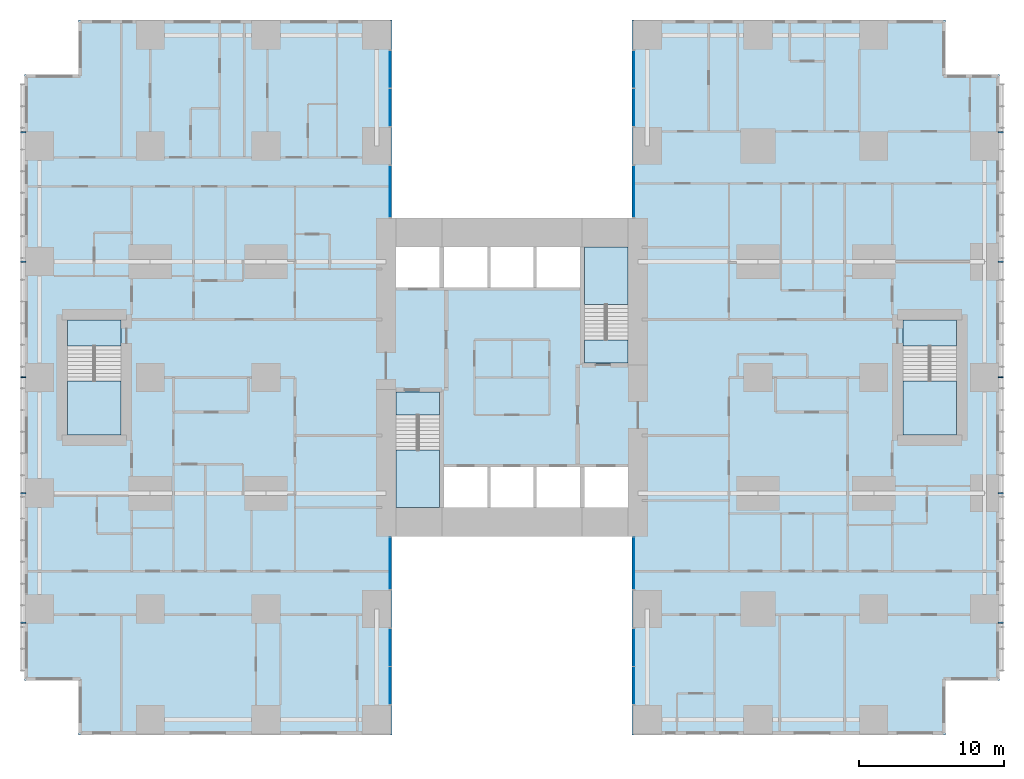
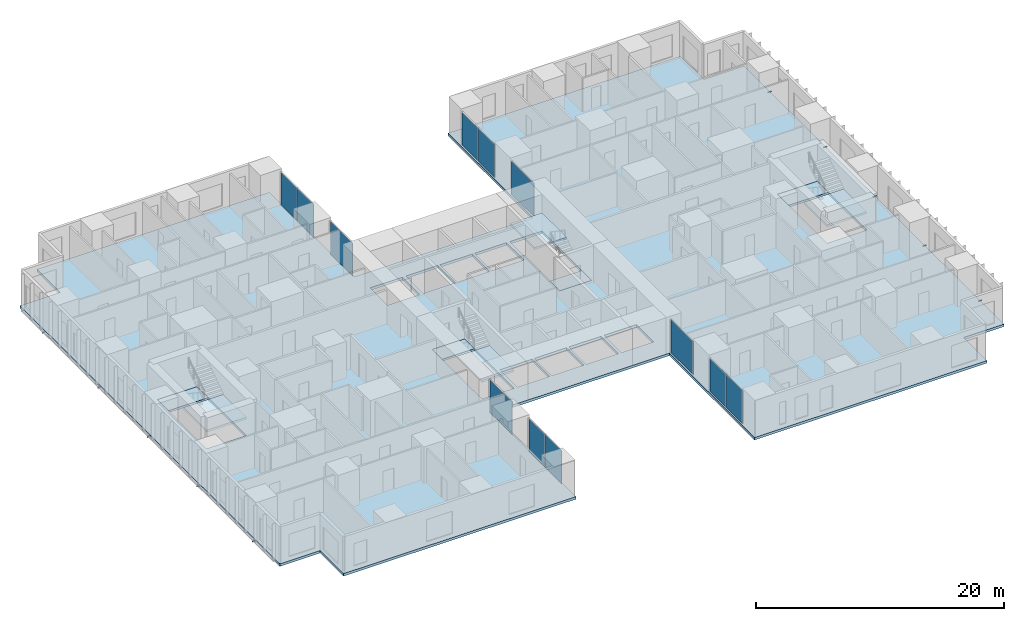
# One storey, part 7 of 20: 12 plates, 10 members, 9 slabs, 12 elements without a shape of their own.
"""IFC4 building model written with IfcOpenShell, lengths in metres."""

from ifc_helpers import new_model, si_unit, direction, frame, origin, origin_2d, place, context, subcontext, project, spatial, polyline, rectangle, hollow_rectangle, outline, extrude, material, layer, layer_set, material_profile, profile_set, type_object, element, aggregate, save


model = new_model("IFC4")

# Units and contexts
model_context = context("Model", 3, precision=1e-05, world=origin(), true_north=direction((0.0, 1.0)))
body_context = subcontext(model_context, "Body", "Model", "MODEL_VIEW")
ifc_project = project(units=[si_unit("LENGTHUNIT", "METRE"), si_unit("AREAUNIT", "SQUARE_METRE"), si_unit("VOLUMEUNIT", "CUBIC_METRE"), si_unit("PLANEANGLEUNIT", "RADIAN"), si_unit("MASSUNIT", "GRAM", prefix="KILO")], contexts=[model_context])

# Site, building, storey
site_placement = place(None, origin())
site = spatial("IfcSite", under=ifc_project, at=site_placement, CompositionType="ELEMENT")
building_placement = place(site_placement, origin())
building = spatial("IfcBuilding", under=site, at=building_placement, Name="Cleftline Residences", CompositionType="ELEMENT")
storey_placement = place(building_placement, frame((0.0, 0.0, 107.0)))
storey = spatial("IfcBuildingStorey", under=building, at=storey_placement, Name="L27", CompositionType="ELEMENT", Elevation=107.0)

# Members
ifc_material_1 = material(Name="Steel S355, hot-dip galvanised", Category="steel")
ifc_material_profile = material_profile(ifc_material_1, hollow_rectangle(XDim=0.10009765625, YDim=0.10009765625, WallThickness=0.008056640625, InnerFilletRadius=0.008056640625, OuterFilletRadius=0.011962890625, at=origin_2d()))
ifc_profile_set = profile_set([ifc_material_profile], Name="Steel S355, hot-dip galvanised")
member_type = type_object("IfcMemberType", Name="BAGUETTE BRACKET SHS 100X100X8", PredefinedType="USERDEFINED", material=ifc_profile_set)
for number, where, z_axis, x_axis, name in (
    (1, (66.60009765625, 7.050048828125, -0.14990234375), (1.0, 0.0, 0.0), (0.0, 1.0, 0.0), "Baguette bracket"),
    (2, (66.60009765625, 16.0, -0.14990234375), (1.0, 0.0, 0.0), (0.0, 1.0, 0.0), "Baguette bracket"),
    (3, (66.60009765625, 24.0, -0.14990234375), (1.0, 0.0, 0.0), (0.0, 1.0, 0.0), "Baguette bracket"),
    (4, (66.60009765625, 32.0, -0.14990234375), (1.0, 0.0, 0.0), (0.0, 1.0, 0.0), "Baguette bracket"),
    (5, (66.60009765625, 40.949951171875, -0.14990234375), (1.0, 0.0, 0.0), (0.0, 1.0, 0.0), "Baguette bracket"),
    (6, (-0.60009765625, 40.949951171875, -0.14990234375), (-1.0, 0.0, 0.0), (0.0, -1.0, 0.0), "Baguette bracket"),
    (7, (-0.60009765625, 32.0, -0.14990234375), (-1.0, 0.0, 0.0), (0.0, -1.0, 0.0), "Baguette bracket"),
    (8, (-0.60009765625, 24.0, -0.14990234375), (-1.0, 0.0, 0.0), (0.0, -1.0, 0.0), "Baguette bracket"),
    (9, (-0.60009765625, 16.0, -0.14990234375), (-1.0, 0.0, 0.0), (0.0, -1.0, 0.0), "Baguette bracket"),
    (10, (-0.60009765625, 7.050048828125, -0.14990234375), (-1.0, 0.0, 0.0), (0.0, -1.0, 0.0), "Baguette bracket"),
):
    element("IfcMember", number, at=place(storey_placement, frame(where, z_axis=z_axis, x_axis=x_axis)), inside=storey, type_object=member_type, Name=name, ObjectType="BAGUETTE BRACKET", PredefinedType="USERDEFINED", context=body_context, shape_type="SweptSolid", body=[
        extrude(hollow_rectangle(XDim=0.10009765625, YDim=0.10009765625, WallThickness=0.008056640625, InnerFilletRadius=0.008056640625, OuterFilletRadius=0.011962890625, at=origin_2d()), origin(), (0.0, 0.0, 1.0), 0.349853515625),
    ])

# Curtain wall, plates
ifc_material_2 = material(Name="Aluminium framed curtain wall", Category="aluminium")
ifc_layer_1 = layer(ifc_material_2, 0.199951171875)
ifc_layer_set_1 = layer_set([ifc_layer_1], Name="CW1 CLEFT GLAZING")
curtain_wall_type = type_object("IfcCurtainWallType", Name="CW1 CLEFT GLAZING", PredefinedType="NOTDEFINED", material=ifc_layer_set_1)
curtain_wall_1_placement = place(storey_placement, origin())
curtain_wall_1 = element("IfcCurtainWall", 11, at=curtain_wall_1_placement, inside=storey, type_object=curtain_wall_type, Name="Curtain wall CW1", PredefinedType="NOTDEFINED")
ifc_material_3 = material(Name="Laminated clear glass", Category="glass")
ifc_layer_2 = layer(ifc_material_3, 0.028076171875)
ifc_layer_set_2 = layer_set([ifc_layer_2], Name="CW1 GLASS PANEL")
plate_type = type_object("IfcPlateType", Name="CW1 GLASS PANEL", PredefinedType="CURTAIN_PANEL", material=ifc_layer_set_2)
plate_1_placement = place(storey_placement, frame((24.574951171875, 2.702392578125, 0.06005859375), z_axis=(0.0, 0.0, 1.0), x_axis=(0.0, 1.0, 0.0)))
plate_1 = element("IfcPlate", 12, at=plate_1_placement, type_object=plate_type, Name="CW1 panel 1.1", PredefinedType="CURTAIN_PANEL", context=body_context, shape_type="SweptSolid", body=[
    extrude(rectangle(XDim=2.5849609375, YDim=0.028076171875, at=origin_2d()), origin(), (0.0, 0.0, 1.0), 3.22998046875),
])
plate_2_placement = place(storey_placement, frame((24.574951171875, 5.347412109375, 0.06005859375), z_axis=(0.0, 0.0, 1.0), x_axis=(0.0, 1.0, 0.0)))
plate_2 = element("IfcPlate", 13, at=plate_2_placement, type_object=plate_type, Name="CW1 panel 2.1", PredefinedType="CURTAIN_PANEL", context=body_context, shape_type="SweptSolid", body=[
    extrude(rectangle(XDim=2.5849609375, YDim=0.028076171875, at=origin_2d()), origin(), (0.0, 0.0, 1.0), 3.22998046875),
])
aggregate(curtain_wall_1, [plate_1, plate_2])

# Curtain wall, plate
curtain_wall_2_placement = place(storey_placement, origin())
curtain_wall_2 = element("IfcCurtainWall", 14, at=curtain_wall_2_placement, inside=storey, type_object=curtain_wall_type, Name="Curtain wall CW1", PredefinedType="NOTDEFINED")
plate_3_placement = place(storey_placement, frame((24.574951171875, 11.14990234375, 0.06005859375), z_axis=(0.0, 0.0, 1.0), x_axis=(0.0, 1.0, 0.0)))
plate_3 = element("IfcPlate", 15, at=plate_3_placement, type_object=plate_type, Name="CW1 panel 1.1", PredefinedType="CURTAIN_PANEL", context=body_context, shape_type="SweptSolid", body=[
    extrude(rectangle(XDim=3.580078125, YDim=0.028076171875, at=origin_2d()), origin(), (0.0, 0.0, 1.0), 3.22998046875),
])
aggregate(curtain_wall_2, [plate_3])

curtain_wall_3_placement = place(storey_placement, origin())
curtain_wall_3 = element("IfcCurtainWall", 16, at=curtain_wall_3_placement, inside=storey, type_object=curtain_wall_type, Name="Curtain wall CW1", PredefinedType="NOTDEFINED")
plate_4_placement = place(storey_placement, frame((41.425048828125, 11.14990234375, 0.06005859375), z_axis=(0.0, 0.0, 1.0), x_axis=(0.0, -1.0, 0.0)))
plate_4 = element("IfcPlate", 17, at=plate_4_placement, type_object=plate_type, Name="CW1 panel 1.1", PredefinedType="CURTAIN_PANEL", context=body_context, shape_type="SweptSolid", body=[
    extrude(rectangle(XDim=3.580078125, YDim=0.028076171875, at=origin_2d()), origin(), (0.0, 0.0, 1.0), 3.22998046875),
])
aggregate(curtain_wall_3, [plate_4])

# Curtain wall, plates
curtain_wall_4_placement = place(storey_placement, origin())
curtain_wall_4 = element("IfcCurtainWall", 18, at=curtain_wall_4_placement, inside=storey, type_object=curtain_wall_type, Name="Curtain wall CW1", PredefinedType="NOTDEFINED")
plate_5_placement = place(storey_placement, frame((41.425048828125, 5.347412109375, 0.06005859375), z_axis=(0.0, 0.0, 1.0), x_axis=(0.0, -1.0, 0.0)))
plate_5 = element("IfcPlate", 19, at=plate_5_placement, type_object=plate_type, Name="CW1 panel 1.1", PredefinedType="CURTAIN_PANEL", context=body_context, shape_type="SweptSolid", body=[
    extrude(rectangle(XDim=2.5849609375, YDim=0.028076171875, at=origin_2d()), origin(), (0.0, 0.0, 1.0), 3.22998046875),
])
plate_6_placement = place(storey_placement, frame((41.425048828125, 2.702392578125, 0.06005859375), z_axis=(0.0, 0.0, 1.0), x_axis=(0.0, -1.0, 0.0)))
plate_6 = element("IfcPlate", 20, at=plate_6_placement, type_object=plate_type, Name="CW1 panel 2.1", PredefinedType="CURTAIN_PANEL", context=body_context, shape_type="SweptSolid", body=[
    extrude(rectangle(XDim=2.5849609375, YDim=0.028076171875, at=origin_2d()), origin(), (0.0, 0.0, 1.0), 3.22998046875),
])
aggregate(curtain_wall_4, [plate_5, plate_6])

curtain_wall_5_placement = place(storey_placement, origin())
curtain_wall_5 = element("IfcCurtainWall", 21, at=curtain_wall_5_placement, inside=storey, type_object=curtain_wall_type, Name="Curtain wall CW1", PredefinedType="NOTDEFINED")
plate_7_placement = place(storey_placement, frame((41.425048828125, 45.297607421875, 0.06005859375), z_axis=(0.0, 0.0, 1.0), x_axis=(0.0, -1.0, 0.0)))
plate_7 = element("IfcPlate", 22, at=plate_7_placement, type_object=plate_type, Name="CW1 panel 1.1", PredefinedType="CURTAIN_PANEL", context=body_context, shape_type="SweptSolid", body=[
    extrude(rectangle(XDim=2.5849609375, YDim=0.028076171875, at=origin_2d()), origin(), (0.0, 0.0, 1.0), 3.22998046875),
])
plate_8_placement = place(storey_placement, frame((41.425048828125, 42.652587890625, 0.06005859375), z_axis=(0.0, 0.0, 1.0), x_axis=(0.0, -1.0, 0.0)))
plate_8 = element("IfcPlate", 23, at=plate_8_placement, type_object=plate_type, Name="CW1 panel 2.1", PredefinedType="CURTAIN_PANEL", context=body_context, shape_type="SweptSolid", body=[
    extrude(rectangle(XDim=2.5849609375, YDim=0.028076171875, at=origin_2d()), origin(), (0.0, 0.0, 1.0), 3.22998046875),
])
aggregate(curtain_wall_5, [plate_7, plate_8])

# Curtain wall, plate
curtain_wall_6_placement = place(storey_placement, origin())
curtain_wall_6 = element("IfcCurtainWall", 24, at=curtain_wall_6_placement, inside=storey, type_object=curtain_wall_type, Name="Curtain wall CW1", PredefinedType="NOTDEFINED")
plate_9_placement = place(storey_placement, frame((41.425048828125, 36.85009765625, 0.06005859375), z_axis=(0.0, 0.0, 1.0), x_axis=(0.0, -1.0, 0.0)))
plate_9 = element("IfcPlate", 25, at=plate_9_placement, type_object=plate_type, Name="CW1 panel 1.1", PredefinedType="CURTAIN_PANEL", context=body_context, shape_type="SweptSolid", body=[
    extrude(rectangle(XDim=3.580078125, YDim=0.028076171875, at=origin_2d()), origin(), (0.0, 0.0, 1.0), 3.22998046875),
])
aggregate(curtain_wall_6, [plate_9])

curtain_wall_7_placement = place(storey_placement, origin())
curtain_wall_7 = element("IfcCurtainWall", 26, at=curtain_wall_7_placement, inside=storey, type_object=curtain_wall_type, Name="Curtain wall CW1", PredefinedType="NOTDEFINED")
plate_10_placement = place(storey_placement, frame((24.574951171875, 36.85009765625, 0.06005859375), z_axis=(0.0, 0.0, 1.0), x_axis=(0.0, 1.0, 0.0)))
plate_10 = element("IfcPlate", 27, at=plate_10_placement, type_object=plate_type, Name="CW1 panel 1.1", PredefinedType="CURTAIN_PANEL", context=body_context, shape_type="SweptSolid", body=[
    extrude(rectangle(XDim=3.580078125, YDim=0.028076171875, at=origin_2d()), origin(), (0.0, 0.0, 1.0), 3.22998046875),
])
aggregate(curtain_wall_7, [plate_10])

# Curtain wall, plates
curtain_wall_8_placement = place(storey_placement, origin())
curtain_wall_8 = element("IfcCurtainWall", 28, at=curtain_wall_8_placement, inside=storey, type_object=curtain_wall_type, Name="Curtain wall CW1", PredefinedType="NOTDEFINED")
plate_11_placement = place(storey_placement, frame((24.574951171875, 42.652587890625, 0.06005859375), z_axis=(0.0, 0.0, 1.0), x_axis=(0.0, 1.0, 0.0)))
plate_11 = element("IfcPlate", 29, at=plate_11_placement, type_object=plate_type, Name="CW1 panel 1.1", PredefinedType="CURTAIN_PANEL", context=body_context, shape_type="SweptSolid", body=[
    extrude(rectangle(XDim=2.5849609375, YDim=0.028076171875, at=origin_2d()), origin(), (0.0, 0.0, 1.0), 3.22998046875),
])
plate_12_placement = place(storey_placement, frame((24.574951171875, 45.297607421875, 0.06005859375), z_axis=(0.0, 0.0, 1.0), x_axis=(0.0, 1.0, 0.0)))
plate_12 = element("IfcPlate", 30, at=plate_12_placement, type_object=plate_type, Name="CW1 panel 2.1", PredefinedType="CURTAIN_PANEL", context=body_context, shape_type="SweptSolid", body=[
    extrude(rectangle(XDim=2.5849609375, YDim=0.028076171875, at=origin_2d()), origin(), (0.0, 0.0, 1.0), 3.22998046875),
])
aggregate(curtain_wall_8, [plate_11, plate_12])

# Slab
ifc_material_4 = material(Name="Concrete B45", Category="concrete")
ifc_layer_3 = layer(ifc_material_4, 0.25)
ifc_layer_set_3 = layer_set([ifc_layer_3], Name="FLOOR SLAB 250")
slab_type_1 = type_object("IfcSlabType", Name="FLOOR SLAB 250", PredefinedType="FLOOR", material=ifc_layer_set_3)
slab_1_placement = place(storey_placement, frame((0.0, 0.0, -0.25)))
element("IfcSlab", 31, at=slab_1_placement, inside=storey, type_object=slab_type_1, Name="Floor slab L27", PredefinedType="FLOOR", context=body_context, shape_type="SweptSolid", body=[
    extrude(outline(polyline([(24.699951171875, 13.0), (41.300048828125, 13.0), (41.300048828125, -0.699951171875), (62.949951171875, -0.699951171875), (62.949951171875, 3.050048828125), (66.699951171875, 3.050048828125), (66.699951171875, 44.949951171875), (62.949951171875, 44.949951171875), (62.949951171875, 48.699951171875), (41.300048828125, 48.699951171875), (41.300048828125, 35.0), (24.699951171875, 35.0), (24.699951171875, 48.699951171875), (3.050048828125, 48.699951171875), (3.050048828125, 44.949951171875), (-0.699951171875, 44.949951171875), (-0.699951171875, 3.050048828125), (3.050048828125, 3.050048828125), (3.050048828125, -0.699951171875), (24.699951171875, -0.699951171875), (24.699951171875, 13.0)]), holes=[polyline([(28.0, 15.0), (28.0, 23.0), (25.0, 23.0), (25.0, 15.0), (28.0, 15.0)]), polyline([(41.0, 25.0), (41.0, 33.0), (38.0, 33.0), (38.0, 25.0), (41.0, 25.0)]), polyline([(28.0, 30.199951171875), (28.0, 33.0), (25.0, 33.0), (25.0, 30.199951171875), (28.0, 30.199951171875)]), polyline([(41.0, 15.0), (41.0, 17.800048828125), (38.0, 17.800048828125), (38.0, 15.0), (41.0, 15.0)]), polyline([(31.300048828125, 15.0), (31.300048828125, 17.800048828125), (28.300048828125, 17.800048828125), (28.300048828125, 15.0), (31.300048828125, 15.0)]), polyline([(34.5, 15.0), (34.5, 17.800048828125), (31.5, 17.800048828125), (31.5, 15.0), (34.5, 15.0)]), polyline([(37.699951171875, 15.0), (37.699951171875, 17.800048828125), (34.699951171875, 17.800048828125), (34.699951171875, 15.0), (37.699951171875, 15.0)]), polyline([(31.300048828125, 30.199951171875), (31.300048828125, 33.0), (28.300048828125, 33.0), (28.300048828125, 30.199951171875), (31.300048828125, 30.199951171875)]), polyline([(34.5, 30.199951171875), (34.5, 33.0), (31.5, 33.0), (31.5, 30.199951171875), (34.5, 30.199951171875)]), polyline([(37.699951171875, 30.199951171875), (37.699951171875, 33.0), (34.699951171875, 33.0), (34.699951171875, 30.199951171875), (37.699951171875, 30.199951171875)]), polyline([(63.72509765625, 20.02490234375), (63.72509765625, 27.97509765625), (60.02490234375, 27.97509765625), (60.02490234375, 20.02490234375), (63.72509765625, 20.02490234375)]), polyline([(5.97509765625, 20.02490234375), (5.97509765625, 27.97509765625), (2.27490234375, 27.97509765625), (2.27490234375, 20.02490234375), (5.97509765625, 20.02490234375)])]), origin(), (0.0, 0.0, 1.0), 0.25),
])

# Stair, slabs
ifc_material_5 = material(Name="Concrete B45, stone treads", Category="masonry")
stair_type_1 = type_object("IfcStairType", Name="STAIR A 1450 WIDE 180 RISER", PredefinedType="HALF_TURN_STAIR", material=ifc_material_5)
stair_1_placement = place(storey_placement, origin())
stair_1 = element("IfcStair", 32, at=stair_1_placement, inside=storey, type_object=stair_type_1, Name="Stair A L27", PredefinedType="HALF_TURN_STAIR")
ifc_material_6 = material(Name="Concrete B45", Category="concrete")
ifc_layer_4 = layer(ifc_material_6, 0.199951171875)
ifc_layer_set_4 = layer_set([ifc_layer_4], Name="STAIR LANDING 200")
slab_type_2 = type_object("IfcSlabType", Name="STAIR LANDING 200", PredefinedType="LANDING", material=ifc_layer_set_4)
slab_2_placement = place(storey_placement, frame((0.0, 0.0, -0.199951171875)))
slab_2 = element("IfcSlab", 33, at=slab_2_placement, type_object=slab_type_2, Name="ST-A landing 1", PredefinedType="LANDING", context=body_context, shape_type="SweptSolid", body=[
    extrude(outline(polyline([(25.0, 21.39990234375), (28.0, 21.39990234375), (28.0, 23.0), (25.0, 23.0), (25.0, 21.39990234375)])), origin(), (0.0, 0.0, 1.0), 0.199951171875),
])
slab_3_placement = place(storey_placement, frame((0.0, 0.0, 1.60009765625)))
slab_3 = element("IfcSlab", 34, at=slab_3_placement, type_object=slab_type_2, Name="ST-A landing 2", PredefinedType="LANDING", context=body_context, shape_type="SweptSolid", body=[
    extrude(outline(polyline([(25.0, 15.0), (28.0, 15.0), (28.0, 18.969970703125), (25.0, 18.969970703125), (25.0, 15.0)])), origin(), (0.0, 0.0, 1.0), 0.199951171875),
])
aggregate(stair_1, [slab_2, slab_3])

ifc_material_7 = material(Name="Concrete B45, stone treads", Category="masonry")
stair_type_2 = type_object("IfcStairType", Name="STAIR B 1450 WIDE 180 RISER", PredefinedType="HALF_TURN_STAIR", material=ifc_material_7)
stair_2_placement = place(storey_placement, origin())
stair_2 = element("IfcStair", 35, at=stair_2_placement, inside=storey, type_object=stair_type_2, Name="Stair B L27", PredefinedType="HALF_TURN_STAIR")
slab_4_placement = place(storey_placement, frame((0.0, 0.0, -0.199951171875)))
slab_4 = element("IfcSlab", 36, at=slab_4_placement, type_object=slab_type_2, Name="ST-B landing 1", PredefinedType="LANDING", context=body_context, shape_type="SweptSolid", body=[
    extrude(outline(polyline([(38.0, 25.0), (41.0, 25.0), (41.0, 26.60009765625), (38.0, 26.60009765625), (38.0, 25.0)])), origin(), (0.0, 0.0, 1.0), 0.199951171875),
])
slab_5_placement = place(storey_placement, frame((0.0, 0.0, 1.60009765625)))
slab_5 = element("IfcSlab", 37, at=slab_5_placement, type_object=slab_type_2, Name="ST-B landing 2", PredefinedType="LANDING", context=body_context, shape_type="SweptSolid", body=[
    extrude(outline(polyline([(38.0, 29.030029296875), (41.0, 29.030029296875), (41.0, 33.0), (38.0, 33.0), (38.0, 29.030029296875)])), origin(), (0.0, 0.0, 1.0), 0.199951171875),
])
aggregate(stair_2, [slab_4, slab_5])

ifc_material_8 = material(Name="Concrete B45, stone treads", Category="masonry")
stair_type_3 = type_object("IfcStairType", Name="STAIR E 1800 WIDE 180 RISER", PredefinedType="HALF_TURN_STAIR", material=ifc_material_8)
stair_3_placement = place(storey_placement, origin())
stair_3 = element("IfcStair", 38, at=stair_3_placement, inside=storey, type_object=stair_type_3, Name="Stair E L27", PredefinedType="HALF_TURN_STAIR")
slab_6_placement = place(storey_placement, frame((0.0, 0.0, -0.199951171875)))
slab_6 = element("IfcSlab", 39, at=slab_6_placement, type_object=slab_type_2, Name="ST-E landing 1", PredefinedType="LANDING", context=body_context, shape_type="SweptSolid", body=[
    extrude(outline(polyline([(60.02490234375, 26.175048828125), (63.72509765625, 26.175048828125), (63.72509765625, 27.97509765625), (60.02490234375, 27.97509765625), (60.02490234375, 26.175048828125)])), origin(), (0.0, 0.0, 1.0), 0.199951171875),
])
slab_7_placement = place(storey_placement, frame((0.0, 0.0, 1.60009765625)))
slab_7 = element("IfcSlab", 40, at=slab_7_placement, type_object=slab_type_2, Name="ST-E landing 2", PredefinedType="LANDING", context=body_context, shape_type="SweptSolid", body=[
    extrude(outline(polyline([(60.02490234375, 20.02490234375), (63.72509765625, 20.02490234375), (63.72509765625, 23.7451171875), (60.02490234375, 23.7451171875), (60.02490234375, 20.02490234375)])), origin(), (0.0, 0.0, 1.0), 0.199951171875),
])
aggregate(stair_3, [slab_6, slab_7])

ifc_material_9 = material(Name="Concrete B45, stone treads", Category="masonry")
stair_type_4 = type_object("IfcStairType", Name="STAIR W 1800 WIDE 180 RISER", PredefinedType="HALF_TURN_STAIR", material=ifc_material_9)
stair_4_placement = place(storey_placement, origin())
stair_4 = element("IfcStair", 41, at=stair_4_placement, inside=storey, type_object=stair_type_4, Name="Stair W L27", PredefinedType="HALF_TURN_STAIR")
slab_8_placement = place(storey_placement, frame((0.0, 0.0, -0.199951171875)))
slab_8 = element("IfcSlab", 42, at=slab_8_placement, type_object=slab_type_2, Name="ST-W landing 1", PredefinedType="LANDING", context=body_context, shape_type="SweptSolid", body=[
    extrude(outline(polyline([(2.27490234375, 26.175048828125), (5.97509765625, 26.175048828125), (5.97509765625, 27.97509765625), (2.27490234375, 27.97509765625), (2.27490234375, 26.175048828125)])), origin(), (0.0, 0.0, 1.0), 0.199951171875),
])
slab_9_placement = place(storey_placement, frame((0.0, 0.0, 1.60009765625)))
slab_9 = element("IfcSlab", 43, at=slab_9_placement, type_object=slab_type_2, Name="ST-W landing 2", PredefinedType="LANDING", context=body_context, shape_type="SweptSolid", body=[
    extrude(outline(polyline([(2.27490234375, 20.02490234375), (5.97509765625, 20.02490234375), (5.97509765625, 23.7451171875), (2.27490234375, 23.7451171875), (2.27490234375, 20.02490234375)])), origin(), (0.0, 0.0, 1.0), 0.199951171875),
])
aggregate(stair_4, [slab_8, slab_9])

save(model, "model.ifc")
